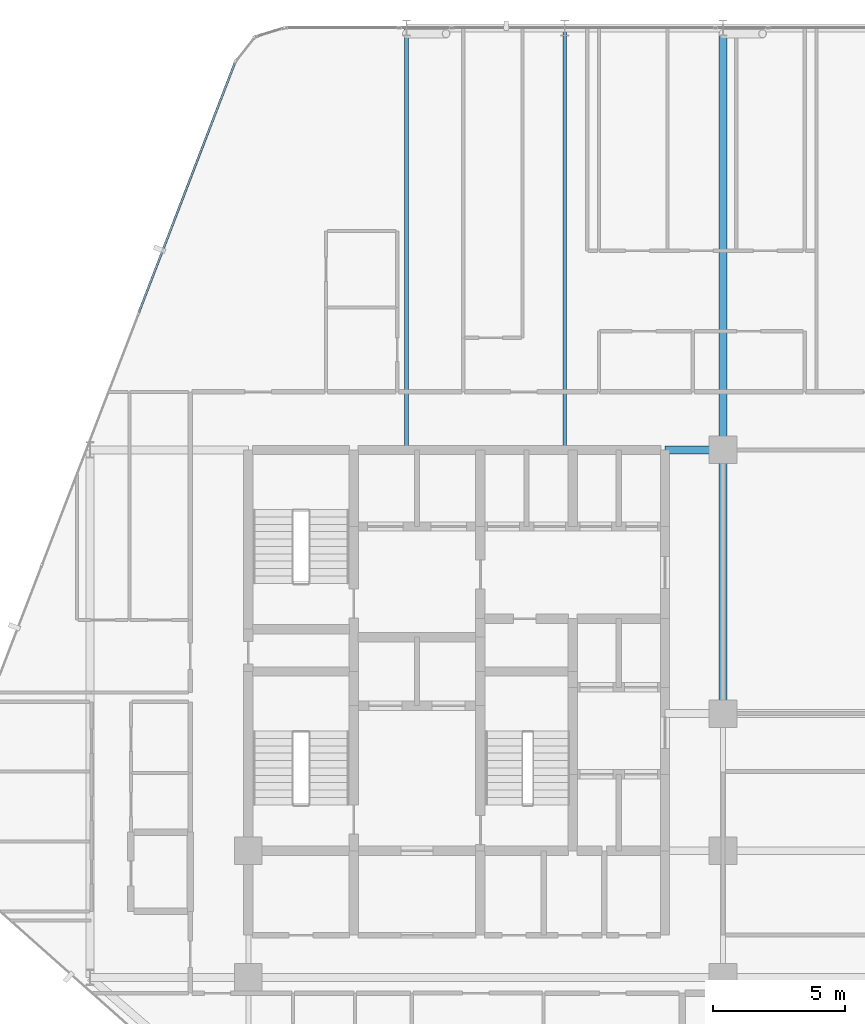
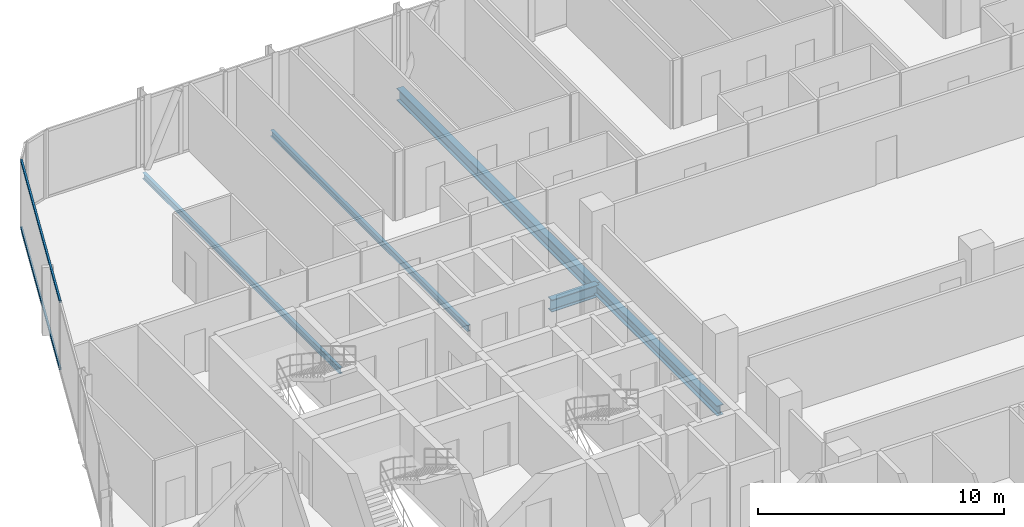
# One storey, part 15 of 30: 5 beams, 2 members, 1 element without a shape of its own.
"""IFC4 building model written with IfcOpenShell, lengths in metres."""

from ifc_helpers import new_model, si_unit, direction, frame, origin, origin_2d, place, context, subcontext, project, spatial, hollow_rectangle, i_section, extrude, material, layer, layer_set, material_profile, profile_set, type_object, element, aggregate, save


model = new_model("IFC4")

# Units and contexts
model_context = context("Model", 3, precision=1e-05, world=origin(), true_north=direction((0.0, 1.0)))
body_context = subcontext(model_context, "Body", "Model", "MODEL_VIEW")
ifc_project = project(units=[si_unit("LENGTHUNIT", "METRE"), si_unit("AREAUNIT", "SQUARE_METRE"), si_unit("VOLUMEUNIT", "CUBIC_METRE"), si_unit("PLANEANGLEUNIT", "RADIAN"), si_unit("MASSUNIT", "GRAM", prefix="KILO")], contexts=[model_context])

# Site, building, storey
site_placement = place(None, origin())
site = spatial("IfcSite", under=ifc_project, at=site_placement, CompositionType="ELEMENT")
building_placement = place(site_placement, origin())
building = spatial("IfcBuilding", under=site, at=building_placement, Name="Keshet Zoharim Tower", CompositionType="ELEMENT")
storey_placement = place(building_placement, frame((0.0, 0.0, 109.39990234375)))
storey = spatial("IfcBuildingStorey", under=building, at=storey_placement, Name="L26", CompositionType="ELEMENT", Elevation=109.39990234375)

# Beams
ifc_material_1 = material(Name="Steel S355", Category="steel")
ifc_material_profile_1 = material_profile(ifc_material_1, i_section(OverallWidth=0.300048828125, OverallDepth=0.60009765625, WebThickness=0.015380859375, FlangeThickness=0.030029296875, FilletRadius=0.027099609375, at=origin_2d()), Name="HEB600")
ifc_profile_set_1 = profile_set([ifc_material_profile_1], Name="Steel S355")
beam_type_1 = type_object("IfcBeamType", Name="BM-CLK-HB600", PredefinedType="BEAM", material=ifc_profile_set_1)
beam_1_placement = place(storey_placement, frame((30.800048828125, 37.89990234375, -0.614990234375), z_axis=(1.0, 0.0, 0.0), x_axis=(0.0, 1.0, 0.0)))
element("IfcBeam", 1, at=beam_1_placement, inside=storey, type_object=beam_type_1, Name="L26 Core Wall Link Girder 03", PredefinedType="BEAM", context=body_context, shape_type="SweptSolid", body=[
    extrude(i_section(OverallWidth=0.300048828125, OverallDepth=0.60009765625, WebThickness=0.015380859375, FlangeThickness=0.030029296875, FilletRadius=0.027099609375, at=origin_2d()), origin(), (0.0, 0.0, 1.0), 2.199951171875),
])
ifc_material_profile_2 = material_profile(ifc_material_1, i_section(OverallWidth=0.14990234375, OverallDepth=0.300048828125, WebThickness=0.007080078125, FlangeThickness=0.0107421875, FilletRadius=0.014892578125, at=origin_2d()), Name="IPE300")
ifc_profile_set_2 = profile_set([ifc_material_profile_2], Name="Steel S355")
beam_type_2 = type_object("IfcBeamType", Name="BM-JST-IP300", PredefinedType="JOIST", material=ifc_profile_set_2)
for number, where, z_axis, x_axis, name in (
    (2, (21.0, 37.89990234375, -0.46484375), (0.0, 1.0, 0.0), (-1.0, 0.0, 0.0), "L26 Secondary Floor Joist J-001"),
    (3, (27.0, 37.89990234375, -0.46484375), (0.0, 1.0, 0.0), (-1.0, 0.0, 0.0), "L26 Secondary Floor Joist J-002"),
):
    element("IfcBeam", number, at=place(storey_placement, frame(where, z_axis=z_axis, x_axis=x_axis)), inside=storey, type_object=beam_type_2, Name=name, PredefinedType="JOIST", context=body_context, shape_type="SweptSolid", body=[
        extrude(i_section(OverallWidth=0.14990234375, OverallDepth=0.300048828125, WebThickness=0.007080078125, FlangeThickness=0.0107421875, FilletRadius=0.014892578125, at=origin_2d()), origin(), (0.0, 0.0, 1.0), 16.0),
    ])
ifc_material_profile_3 = material_profile(ifc_material_1, i_section(OverallWidth=0.300048828125, OverallDepth=0.60009765625, WebThickness=0.015380859375, FlangeThickness=0.030029296875, FilletRadius=0.027099609375, at=origin_2d()), Name="HEB600")
ifc_profile_set_3 = profile_set([ifc_material_profile_3], Name="Steel S355")
beam_type_3 = type_object("IfcBeamType", Name="BM-LNG-HB600", PredefinedType="BEAM", material=ifc_profile_set_3)
beam_2_placement = place(storey_placement, frame((33.0, 37.89990234375, -0.614990234375), z_axis=(0.0, 1.0, 0.0), x_axis=(-1.0, 0.0, 0.0)))
element("IfcBeam", 4, at=beam_2_placement, inside=storey, type_object=beam_type_3, Name="L26 Primary Girder Y-011", PredefinedType="BEAM", context=body_context, shape_type="SweptSolid", body=[
    extrude(i_section(OverallWidth=0.300048828125, OverallDepth=0.60009765625, WebThickness=0.015380859375, FlangeThickness=0.030029296875, FilletRadius=0.027099609375, at=origin_2d()), origin(), (0.0, 0.0, 1.0), 16.0),
])
ifc_material_profile_4 = material_profile(ifc_material_1, i_section(OverallWidth=0.300048828125, OverallDepth=0.5, WebThickness=0.014404296875, FlangeThickness=0.028076171875, FilletRadius=0.027099609375, at=origin_2d()), Name="HEB500")
ifc_profile_set_4 = profile_set([ifc_material_profile_4], Name="Steel S355")
beam_type_4 = type_object("IfcBeamType", Name="BM-MED-HB500", PredefinedType="BEAM", material=ifc_profile_set_4)
beam_3_placement = place(storey_placement, frame((33.0, 27.89990234375, -0.56494140625), z_axis=(0.0, 1.0, 0.0), x_axis=(-1.0, 0.0, 0.0)))
element("IfcBeam", 5, at=beam_3_placement, inside=storey, type_object=beam_type_4, Name="L26 Primary Girder Y-010", PredefinedType="BEAM", context=body_context, shape_type="SweptSolid", body=[
    extrude(i_section(OverallWidth=0.300048828125, OverallDepth=0.5, WebThickness=0.014404296875, FlangeThickness=0.028076171875, FilletRadius=0.027099609375, at=origin_2d()), origin(), (0.0, 0.0, 1.0), 10.0),
])

# Curtain wall, members
ifc_material_2 = material(Name="Aluminium 6063-T6", Category="aluminium")
ifc_layer = layer(ifc_material_2, 0.159912109375)
ifc_layer_set = layer_set([ifc_layer], Name="Aluminium 6063-T6")
curtain_wall_type = type_object("IfcCurtainWallType", Name="CW-SYS-03", PredefinedType="NOTDEFINED", material=ifc_layer_set)
curtain_wall_placement = place(storey_placement, origin())
curtain_wall = element("IfcCurtainWall", 6, at=curtain_wall_placement, inside=storey, type_object=curtain_wall_type, Name="L26 Unitised Curtain Wall 10", PredefinedType="NOTDEFINED")
ifc_material_profile_5 = material_profile(ifc_material_2, hollow_rectangle(XDim=0.080078125, YDim=0.139892578125, WallThickness=0.00390625, at=origin_2d()), Name="TRN-80x140")
ifc_profile_set_5 = profile_set([ifc_material_profile_5], Name="Aluminium 6063-T6")
member_type = type_object("IfcMemberType", Name="CWT-T14", PredefinedType="USERDEFINED", material=ifc_profile_set_5)
member_1_placement = place(storey_placement, frame((10.849609375, 43.10888671875, 0.03515625), z_axis=(0.358985546764, 0.933343118694, 0.0), x_axis=(-0.933343118694, 0.358985546764, 0.0)))
member_1 = element("IfcMember", 7, at=member_1_placement, type_object=member_type, Name="CW-03 transom 3.1", ObjectType="TRANSOM", PredefinedType="USERDEFINED", context=body_context, shape_type="SweptSolid", body=[
    extrude(hollow_rectangle(XDim=0.080078125, YDim=0.139892578125, WallThickness=0.00390625, at=origin_2d()), origin(), (0.0, 0.0, 1.0), 10.118408203125),
])
member_2_placement = place(storey_placement, frame((10.849609375, 43.10888671875, 3.35009765625), z_axis=(0.358985546764, 0.933343118694, 0.0), x_axis=(-0.933343118694, 0.358985546764, 0.0)))
member_2 = element("IfcMember", 8, at=member_2_placement, type_object=member_type, Name="CW-03 transom 3.2", ObjectType="TRANSOM", PredefinedType="USERDEFINED", context=body_context, shape_type="SweptSolid", body=[
    extrude(hollow_rectangle(XDim=0.080078125, YDim=0.139892578125, WallThickness=0.00390625, at=origin_2d()), origin(), (0.0, 0.0, 1.0), 10.118408203125),
])
aggregate(curtain_wall, [member_1, member_2])

save(model, "model.ifc")
